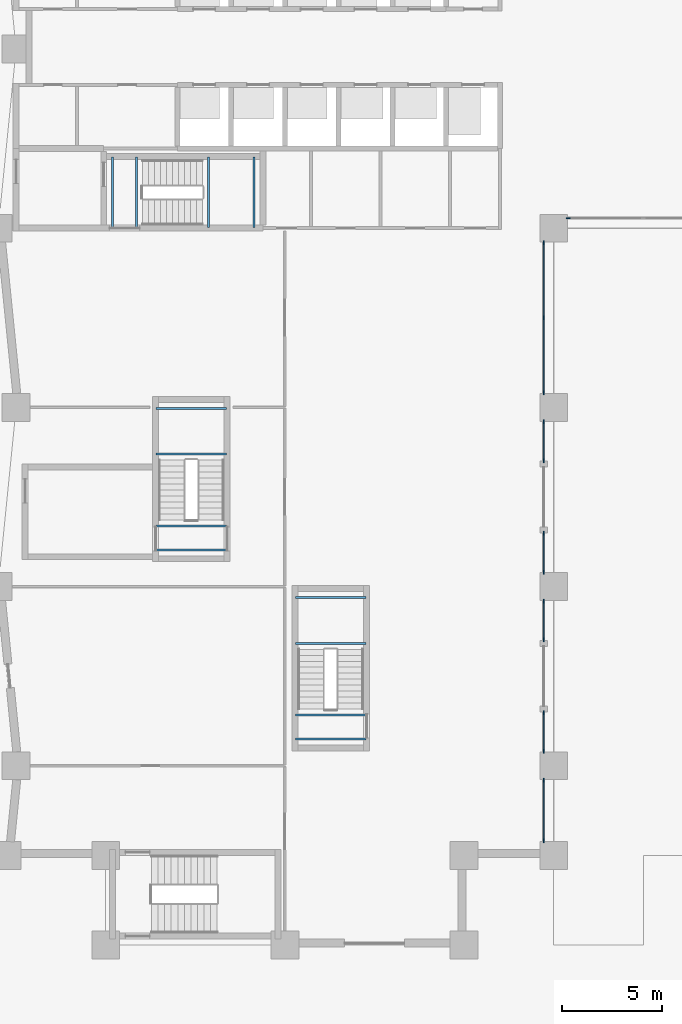
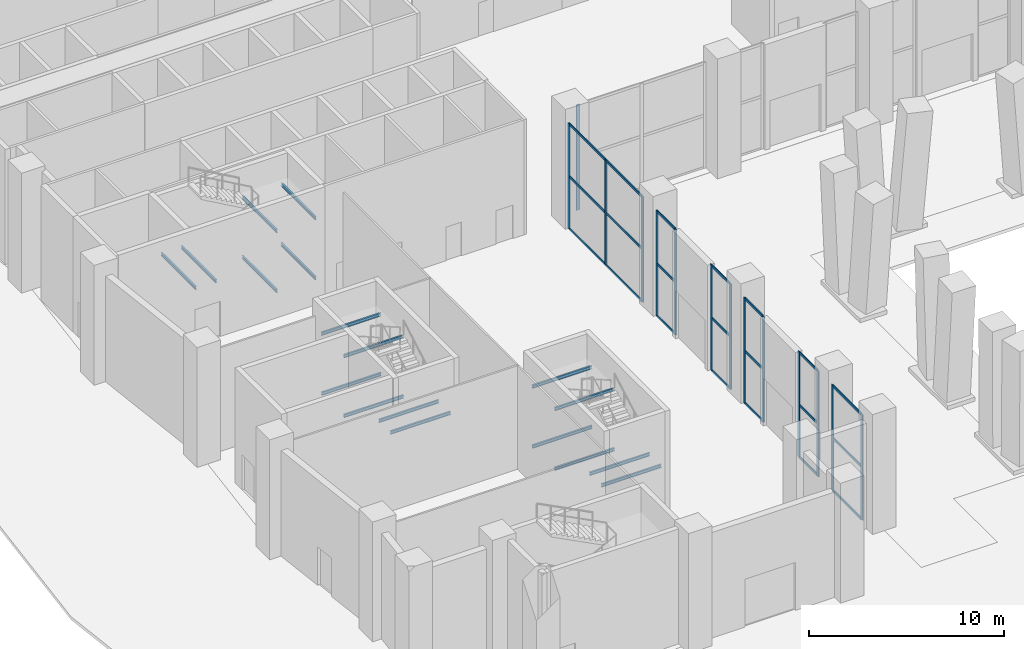
# One storey, part 2 of 16: 35 members, 18 beams, 7 elements without a shape of their own.
"""IFC4 building model written with IfcOpenShell, lengths in metres."""

from ifc_helpers import new_model, si_unit, direction, frame, origin, origin_2d, place, context, subcontext, project, spatial, rectangle, i_section, extrude, material, material_profile, profile_set, type_object, element, aggregate, save


model = new_model("IFC4")

# Units and contexts
model_context = context("Model", 3, precision=1e-05, world=origin(), true_north=direction((0.0, 1.0)))
body_context = subcontext(model_context, "Body", "Model", "MODEL_VIEW")
ifc_project = project(units=[si_unit("LENGTHUNIT", "METRE"), si_unit("AREAUNIT", "SQUARE_METRE"), si_unit("VOLUMEUNIT", "CUBIC_METRE"), si_unit("PLANEANGLEUNIT", "RADIAN"), si_unit("MASSUNIT", "GRAM", prefix="KILO")], contexts=[model_context])

# Site, building, storey
site_placement = place(None, origin())
site = spatial("IfcSite", under=ifc_project, at=site_placement, CompositionType="ELEMENT")
building_placement = place(site_placement, origin())
building = spatial("IfcBuilding", under=site, at=building_placement, Name="Brondeck Convention Tower", CompositionType="ELEMENT")
storey_placement = place(building_placement, origin())
storey = spatial("IfcBuildingStorey", under=building, at=storey_placement, Name="L00", CompositionType="ELEMENT", Elevation=0.0)

# Curtain wall, members
ifc_material_1 = material(Name="Aluminium, bronze anodised", Category="aluminium")
curtain_wall_type = type_object("IfcCurtainWallType", Name="Lobby and concourse curtain wall", PredefinedType="NOTDEFINED", material=ifc_material_1)
curtain_wall_1_placement = place(storey_placement, origin())
curtain_wall_1 = element("IfcCurtainWall", 1, at=curtain_wall_1_placement, inside=storey, type_object=curtain_wall_type, Name="ENV-CW1-L00-B-E-06", PredefinedType="NOTDEFINED")
ifc_material_profile_1 = material_profile(ifc_material_1, rectangle(XDim=0.06005859375, YDim=0.199951171875, at=origin_2d()), Name="CW1 mullion")
ifc_profile_set_1 = profile_set([ifc_material_profile_1], Name="Aluminium, bronze anodised")
member_type_1 = type_object("IfcMemberType", Name="CW1 mullion", PredefinedType="MULLION", material=ifc_profile_set_1)
member_1_placement = place(storey_placement, frame((26.5, 8.27001953125, 0.0), z_axis=(0.0, 0.0, 1.0), x_axis=(1.0, 0.0, 0.0)))
member_1 = element("IfcMember", 2, at=member_1_placement, type_object=member_type_1, Name="CW1 mullion 1", PredefinedType="MULLION", context=body_context, shape_type="SweptSolid", body=[
    extrude(rectangle(XDim=0.06005859375, YDim=0.199951171875, at=origin_2d()), origin(), (0.0, 0.0, 1.0), 6.60009765625),
])
member_2_placement = place(storey_placement, frame((26.5, 5.22998046875, 0.0), z_axis=(0.0, 0.0, 1.0), x_axis=(1.0, 0.0, 0.0)))
member_2 = element("IfcMember", 3, at=member_2_placement, type_object=member_type_1, Name="CW1 mullion 2", PredefinedType="MULLION", context=body_context, shape_type="SweptSolid", body=[
    extrude(rectangle(XDim=0.06005859375, YDim=0.199951171875, at=origin_2d()), origin(), (0.0, 0.0, 1.0), 6.60009765625),
])

curtain_wall_2_placement = place(storey_placement, origin())
curtain_wall_2 = element("IfcCurtainWall", 4, at=curtain_wall_2_placement, inside=storey, type_object=curtain_wall_type, Name="ENV-CW1-L00-B-E-05a", PredefinedType="NOTDEFINED")
member_3_placement = place(storey_placement, frame((26.5, 11.669921875, 0.0), z_axis=(0.0, 0.0, 1.0), x_axis=(1.0, 0.0, 0.0)))
member_3 = element("IfcMember", 5, at=member_3_placement, type_object=member_type_1, Name="CW1 mullion 1", PredefinedType="MULLION", context=body_context, shape_type="SweptSolid", body=[
    extrude(rectangle(XDim=0.06005859375, YDim=0.199951171875, at=origin_2d()), origin(), (0.0, 0.0, 1.0), 6.60009765625),
])
member_4_placement = place(storey_placement, frame((26.5, 9.72998046875, 0.0), z_axis=(0.0, 0.0, 1.0), x_axis=(1.0, 0.0, 0.0)))
member_4 = element("IfcMember", 6, at=member_4_placement, type_object=member_type_1, Name="CW1 mullion 2", PredefinedType="MULLION", context=body_context, shape_type="SweptSolid", body=[
    extrude(rectangle(XDim=0.06005859375, YDim=0.199951171875, at=origin_2d()), origin(), (0.0, 0.0, 1.0), 6.60009765625),
])

curtain_wall_3_placement = place(storey_placement, origin())
curtain_wall_3 = element("IfcCurtainWall", 7, at=curtain_wall_3_placement, inside=storey, type_object=curtain_wall_type, Name="ENV-CW1-L00-B-E-05b", PredefinedType="NOTDEFINED")
member_5_placement = place(storey_placement, frame((26.5, 17.27001953125, 0.0), z_axis=(0.0, 0.0, 1.0), x_axis=(1.0, 0.0, 0.0)))
member_5 = element("IfcMember", 8, at=member_5_placement, type_object=member_type_1, Name="CW1 mullion 1", PredefinedType="MULLION", context=body_context, shape_type="SweptSolid", body=[
    extrude(rectangle(XDim=0.06005859375, YDim=0.199951171875, at=origin_2d()), origin(), (0.0, 0.0, 1.0), 6.60009765625),
])
member_6_placement = place(storey_placement, frame((26.5, 15.330078125, 0.0), z_axis=(0.0, 0.0, 1.0), x_axis=(1.0, 0.0, 0.0)))
member_6 = element("IfcMember", 9, at=member_6_placement, type_object=member_type_1, Name="CW1 mullion 2", PredefinedType="MULLION", context=body_context, shape_type="SweptSolid", body=[
    extrude(rectangle(XDim=0.06005859375, YDim=0.199951171875, at=origin_2d()), origin(), (0.0, 0.0, 1.0), 6.60009765625),
])

curtain_wall_4_placement = place(storey_placement, origin())
curtain_wall_4 = element("IfcCurtainWall", 10, at=curtain_wall_4_placement, inside=storey, type_object=curtain_wall_type, Name="ENV-CW1-L00-B-E-03a", PredefinedType="NOTDEFINED")
member_7_placement = place(storey_placement, frame((26.5, 20.669921875, 0.0), z_axis=(0.0, 0.0, 1.0), x_axis=(1.0, 0.0, 0.0)))
member_7 = element("IfcMember", 11, at=member_7_placement, type_object=member_type_1, Name="CW1 mullion 1", PredefinedType="MULLION", context=body_context, shape_type="SweptSolid", body=[
    extrude(rectangle(XDim=0.06005859375, YDim=0.199951171875, at=origin_2d()), origin(), (0.0, 0.0, 1.0), 6.60009765625),
])
member_8_placement = place(storey_placement, frame((26.5, 18.72998046875, 0.0), z_axis=(0.0, 0.0, 1.0), x_axis=(1.0, 0.0, 0.0)))
member_8 = element("IfcMember", 12, at=member_8_placement, type_object=member_type_1, Name="CW1 mullion 2", PredefinedType="MULLION", context=body_context, shape_type="SweptSolid", body=[
    extrude(rectangle(XDim=0.06005859375, YDim=0.199951171875, at=origin_2d()), origin(), (0.0, 0.0, 1.0), 6.60009765625),
])

curtain_wall_5_placement = place(storey_placement, origin())
curtain_wall_5 = element("IfcCurtainWall", 13, at=curtain_wall_5_placement, inside=storey, type_object=curtain_wall_type, Name="ENV-CW1-L00-B-E-03b", PredefinedType="NOTDEFINED")
member_9_placement = place(storey_placement, frame((26.5, 26.27001953125, 0.0), z_axis=(0.0, 0.0, 1.0), x_axis=(1.0, 0.0, 0.0)))
member_9 = element("IfcMember", 14, at=member_9_placement, type_object=member_type_1, Name="CW1 mullion 1", PredefinedType="MULLION", context=body_context, shape_type="SweptSolid", body=[
    extrude(rectangle(XDim=0.06005859375, YDim=0.199951171875, at=origin_2d()), origin(), (0.0, 0.0, 1.0), 6.60009765625),
])
member_10_placement = place(storey_placement, frame((26.5, 24.330078125, 0.0), z_axis=(0.0, 0.0, 1.0), x_axis=(1.0, 0.0, 0.0)))
member_10 = element("IfcMember", 15, at=member_10_placement, type_object=member_type_1, Name="CW1 mullion 2", PredefinedType="MULLION", context=body_context, shape_type="SweptSolid", body=[
    extrude(rectangle(XDim=0.06005859375, YDim=0.199951171875, at=origin_2d()), origin(), (0.0, 0.0, 1.0), 6.60009765625),
])

curtain_wall_6_placement = place(storey_placement, origin())
curtain_wall_6 = element("IfcCurtainWall", 16, at=curtain_wall_6_placement, inside=storey, type_object=curtain_wall_type, Name="ENV-CW1-L00-B-E-01", PredefinedType="NOTDEFINED")
member_11_placement = place(storey_placement, frame((26.5, 35.27001953125, 0.0), z_axis=(0.0, 0.0, 1.0), x_axis=(1.0, 0.0, 0.0)))
member_11 = element("IfcMember", 17, at=member_11_placement, type_object=member_type_1, Name="CW1 mullion 1", PredefinedType="MULLION", context=body_context, shape_type="SweptSolid", body=[
    extrude(rectangle(XDim=0.06005859375, YDim=0.199951171875, at=origin_2d()), origin(), (0.0, 0.0, 1.0), 6.60009765625),
])
member_12_placement = place(storey_placement, frame((26.5, 31.5, 0.0), z_axis=(0.0, 0.0, 1.0), x_axis=(1.0, 0.0, 0.0)))
member_12 = element("IfcMember", 18, at=member_12_placement, type_object=member_type_1, Name="CW1 mullion 2", PredefinedType="MULLION", context=body_context, shape_type="SweptSolid", body=[
    extrude(rectangle(XDim=0.06005859375, YDim=0.199951171875, at=origin_2d()), origin(), (0.0, 0.0, 1.0), 6.60009765625),
])
member_13_placement = place(storey_placement, frame((26.5, 27.72998046875, 0.0), z_axis=(0.0, 0.0, 1.0), x_axis=(1.0, 0.0, 0.0)))
member_13 = element("IfcMember", 19, at=member_13_placement, type_object=member_type_1, Name="CW1 mullion 3", PredefinedType="MULLION", context=body_context, shape_type="SweptSolid", body=[
    extrude(rectangle(XDim=0.06005859375, YDim=0.199951171875, at=origin_2d()), origin(), (0.0, 0.0, 1.0), 6.60009765625),
])

# Curtain wall, member
curtain_wall_7_placement = place(storey_placement, origin())
curtain_wall_7 = element("IfcCurtainWall", 20, at=curtain_wall_7_placement, inside=storey, type_object=curtain_wall_type, Name="ENV-CW1-L00-A-S-01", PredefinedType="NOTDEFINED")
member_14_placement = place(storey_placement, frame((27.72998046875, 36.5, 0.0), z_axis=(0.0, 0.0, 1.0), x_axis=(0.0, -1.0, 0.0)))
member_14 = element("IfcMember", 21, at=member_14_placement, type_object=member_type_1, Name="CW1 mullion 3", PredefinedType="MULLION", context=body_context, shape_type="SweptSolid", body=[
    extrude(rectangle(XDim=0.06005859375, YDim=0.199951171875, at=origin_2d()), origin(), (0.0, 0.0, 1.0), 6.60009765625),
])
aggregate(curtain_wall_7, [member_14])

# Member
ifc_material_profile_2 = material_profile(ifc_material_1, rectangle(XDim=0.06005859375, YDim=0.159912109375, at=origin_2d()), Name="CW1 transom")
ifc_profile_set_2 = profile_set([ifc_material_profile_2], Name="Aluminium, bronze anodised")
member_type_2 = type_object("IfcMemberType", Name="CW1 transom", PredefinedType="USERDEFINED", material=ifc_profile_set_2)
member_15_placement = place(storey_placement, frame((26.5, 8.239990234375, 0.030029296875), z_axis=(0.0, -1.0, 0.0), x_axis=(1.0, 0.0, 0.0)))
member_15 = element("IfcMember", 22, at=member_15_placement, type_object=member_type_2, Name="CW1 transom 1.1", ObjectType="TRANSOM", PredefinedType="USERDEFINED", context=body_context, shape_type="SweptSolid", body=[
    extrude(rectangle(XDim=0.06005859375, YDim=0.159912109375, at=origin_2d()), origin(), (0.0, 0.0, 1.0), 2.97998046875),
])

member_16_placement = place(storey_placement, frame((26.5, 8.239990234375, 3.300048828125), z_axis=(0.0, -1.0, 0.0), x_axis=(1.0, 0.0, 0.0)))
member_16 = element("IfcMember", 23, at=member_16_placement, type_object=member_type_2, Name="CW1 transom 1.2", ObjectType="TRANSOM", PredefinedType="USERDEFINED", context=body_context, shape_type="SweptSolid", body=[
    extrude(rectangle(XDim=0.06005859375, YDim=0.159912109375, at=origin_2d()), origin(), (0.0, 0.0, 1.0), 2.97998046875),
])

member_17_placement = place(storey_placement, frame((26.5, 8.239990234375, 6.570068359375), z_axis=(0.0, -1.0, 0.0), x_axis=(1.0, 0.0, 0.0)))
member_17 = element("IfcMember", 24, at=member_17_placement, type_object=member_type_2, Name="CW1 transom 1.3", ObjectType="TRANSOM", PredefinedType="USERDEFINED", context=body_context, shape_type="SweptSolid", body=[
    extrude(rectangle(XDim=0.06005859375, YDim=0.159912109375, at=origin_2d()), origin(), (0.0, 0.0, 1.0), 2.97998046875),
])

aggregate(curtain_wall_1, [member_1, member_2, member_15, member_16, member_17])

member_18_placement = place(storey_placement, frame((26.5, 11.639892578125, 0.030029296875), z_axis=(0.0, -1.0, 0.0), x_axis=(1.0, 0.0, 0.0)))
member_18 = element("IfcMember", 25, at=member_18_placement, type_object=member_type_2, Name="CW1 transom 1.1", ObjectType="TRANSOM", PredefinedType="USERDEFINED", context=body_context, shape_type="SweptSolid", body=[
    extrude(rectangle(XDim=0.06005859375, YDim=0.159912109375, at=origin_2d()), origin(), (0.0, 0.0, 1.0), 1.8798828125),
])

member_19_placement = place(storey_placement, frame((26.5, 11.639892578125, 3.300048828125), z_axis=(0.0, -1.0, 0.0), x_axis=(1.0, 0.0, 0.0)))
member_19 = element("IfcMember", 26, at=member_19_placement, type_object=member_type_2, Name="CW1 transom 1.2", ObjectType="TRANSOM", PredefinedType="USERDEFINED", context=body_context, shape_type="SweptSolid", body=[
    extrude(rectangle(XDim=0.06005859375, YDim=0.159912109375, at=origin_2d()), origin(), (0.0, 0.0, 1.0), 1.8798828125),
])

member_20_placement = place(storey_placement, frame((26.5, 11.639892578125, 6.570068359375), z_axis=(0.0, -1.0, 0.0), x_axis=(1.0, 0.0, 0.0)))
member_20 = element("IfcMember", 27, at=member_20_placement, type_object=member_type_2, Name="CW1 transom 1.3", ObjectType="TRANSOM", PredefinedType="USERDEFINED", context=body_context, shape_type="SweptSolid", body=[
    extrude(rectangle(XDim=0.06005859375, YDim=0.159912109375, at=origin_2d()), origin(), (0.0, 0.0, 1.0), 1.8798828125),
])

aggregate(curtain_wall_2, [member_3, member_4, member_18, member_19, member_20])

member_21_placement = place(storey_placement, frame((26.5, 17.239990234375, 0.030029296875), z_axis=(0.0, -1.0, 0.0), x_axis=(1.0, 0.0, 0.0)))
member_21 = element("IfcMember", 28, at=member_21_placement, type_object=member_type_2, Name="CW1 transom 1.1", ObjectType="TRANSOM", PredefinedType="USERDEFINED", context=body_context, shape_type="SweptSolid", body=[
    extrude(rectangle(XDim=0.06005859375, YDim=0.159912109375, at=origin_2d()), origin(), (0.0, 0.0, 1.0), 1.8798828125),
])

member_22_placement = place(storey_placement, frame((26.5, 17.239990234375, 3.300048828125), z_axis=(0.0, -1.0, 0.0), x_axis=(1.0, 0.0, 0.0)))
member_22 = element("IfcMember", 29, at=member_22_placement, type_object=member_type_2, Name="CW1 transom 1.2", ObjectType="TRANSOM", PredefinedType="USERDEFINED", context=body_context, shape_type="SweptSolid", body=[
    extrude(rectangle(XDim=0.06005859375, YDim=0.159912109375, at=origin_2d()), origin(), (0.0, 0.0, 1.0), 1.8798828125),
])

member_23_placement = place(storey_placement, frame((26.5, 17.239990234375, 6.570068359375), z_axis=(0.0, -1.0, 0.0), x_axis=(1.0, 0.0, 0.0)))
member_23 = element("IfcMember", 30, at=member_23_placement, type_object=member_type_2, Name="CW1 transom 1.3", ObjectType="TRANSOM", PredefinedType="USERDEFINED", context=body_context, shape_type="SweptSolid", body=[
    extrude(rectangle(XDim=0.06005859375, YDim=0.159912109375, at=origin_2d()), origin(), (0.0, 0.0, 1.0), 1.8798828125),
])

aggregate(curtain_wall_3, [member_5, member_6, member_21, member_22, member_23])

member_24_placement = place(storey_placement, frame((26.5, 20.639892578125, 0.030029296875), z_axis=(0.0, -1.0, 0.0), x_axis=(1.0, 0.0, 0.0)))
member_24 = element("IfcMember", 31, at=member_24_placement, type_object=member_type_2, Name="CW1 transom 1.1", ObjectType="TRANSOM", PredefinedType="USERDEFINED", context=body_context, shape_type="SweptSolid", body=[
    extrude(rectangle(XDim=0.06005859375, YDim=0.159912109375, at=origin_2d()), origin(), (0.0, 0.0, 1.0), 1.8798828125),
])

member_25_placement = place(storey_placement, frame((26.5, 20.639892578125, 3.300048828125), z_axis=(0.0, -1.0, 0.0), x_axis=(1.0, 0.0, 0.0)))
member_25 = element("IfcMember", 32, at=member_25_placement, type_object=member_type_2, Name="CW1 transom 1.2", ObjectType="TRANSOM", PredefinedType="USERDEFINED", context=body_context, shape_type="SweptSolid", body=[
    extrude(rectangle(XDim=0.06005859375, YDim=0.159912109375, at=origin_2d()), origin(), (0.0, 0.0, 1.0), 1.8798828125),
])

member_26_placement = place(storey_placement, frame((26.5, 20.639892578125, 6.570068359375), z_axis=(0.0, -1.0, 0.0), x_axis=(1.0, 0.0, 0.0)))
member_26 = element("IfcMember", 33, at=member_26_placement, type_object=member_type_2, Name="CW1 transom 1.3", ObjectType="TRANSOM", PredefinedType="USERDEFINED", context=body_context, shape_type="SweptSolid", body=[
    extrude(rectangle(XDim=0.06005859375, YDim=0.159912109375, at=origin_2d()), origin(), (0.0, 0.0, 1.0), 1.8798828125),
])

aggregate(curtain_wall_4, [member_7, member_8, member_24, member_25, member_26])

member_27_placement = place(storey_placement, frame((26.5, 26.239990234375, 0.030029296875), z_axis=(0.0, -1.0, 0.0), x_axis=(1.0, 0.0, 0.0)))
member_27 = element("IfcMember", 34, at=member_27_placement, type_object=member_type_2, Name="CW1 transom 1.1", ObjectType="TRANSOM", PredefinedType="USERDEFINED", context=body_context, shape_type="SweptSolid", body=[
    extrude(rectangle(XDim=0.06005859375, YDim=0.159912109375, at=origin_2d()), origin(), (0.0, 0.0, 1.0), 1.8798828125),
])

member_28_placement = place(storey_placement, frame((26.5, 26.239990234375, 3.300048828125), z_axis=(0.0, -1.0, 0.0), x_axis=(1.0, 0.0, 0.0)))
member_28 = element("IfcMember", 35, at=member_28_placement, type_object=member_type_2, Name="CW1 transom 1.2", ObjectType="TRANSOM", PredefinedType="USERDEFINED", context=body_context, shape_type="SweptSolid", body=[
    extrude(rectangle(XDim=0.06005859375, YDim=0.159912109375, at=origin_2d()), origin(), (0.0, 0.0, 1.0), 1.8798828125),
])

member_29_placement = place(storey_placement, frame((26.5, 26.239990234375, 6.570068359375), z_axis=(0.0, -1.0, 0.0), x_axis=(1.0, 0.0, 0.0)))
member_29 = element("IfcMember", 36, at=member_29_placement, type_object=member_type_2, Name="CW1 transom 1.3", ObjectType="TRANSOM", PredefinedType="USERDEFINED", context=body_context, shape_type="SweptSolid", body=[
    extrude(rectangle(XDim=0.06005859375, YDim=0.159912109375, at=origin_2d()), origin(), (0.0, 0.0, 1.0), 1.8798828125),
])

aggregate(curtain_wall_5, [member_9, member_10, member_27, member_28, member_29])

member_30_placement = place(storey_placement, frame((26.5, 35.239990234375, 0.030029296875), z_axis=(0.0, -1.0, 0.0), x_axis=(1.0, 0.0, 0.0)))
member_30 = element("IfcMember", 37, at=member_30_placement, type_object=member_type_2, Name="CW1 transom 1.1", ObjectType="TRANSOM", PredefinedType="USERDEFINED", context=body_context, shape_type="SweptSolid", body=[
    extrude(rectangle(XDim=0.06005859375, YDim=0.159912109375, at=origin_2d()), origin(), (0.0, 0.0, 1.0), 3.7099609375),
])

member_31_placement = place(storey_placement, frame((26.5, 35.239990234375, 3.300048828125), z_axis=(0.0, -1.0, 0.0), x_axis=(1.0, 0.0, 0.0)))
member_31 = element("IfcMember", 38, at=member_31_placement, type_object=member_type_2, Name="CW1 transom 1.2", ObjectType="TRANSOM", PredefinedType="USERDEFINED", context=body_context, shape_type="SweptSolid", body=[
    extrude(rectangle(XDim=0.06005859375, YDim=0.159912109375, at=origin_2d()), origin(), (0.0, 0.0, 1.0), 3.7099609375),
])

member_32_placement = place(storey_placement, frame((26.5, 35.239990234375, 6.570068359375), z_axis=(0.0, -1.0, 0.0), x_axis=(1.0, 0.0, 0.0)))
member_32 = element("IfcMember", 39, at=member_32_placement, type_object=member_type_2, Name="CW1 transom 1.3", ObjectType="TRANSOM", PredefinedType="USERDEFINED", context=body_context, shape_type="SweptSolid", body=[
    extrude(rectangle(XDim=0.06005859375, YDim=0.159912109375, at=origin_2d()), origin(), (0.0, 0.0, 1.0), 3.7099609375),
])

member_33_placement = place(storey_placement, frame((26.5, 31.469970703125, 0.030029296875), z_axis=(0.0, -1.0, 0.0), x_axis=(1.0, 0.0, 0.0)))
member_33 = element("IfcMember", 40, at=member_33_placement, type_object=member_type_2, Name="CW1 transom 2.1", ObjectType="TRANSOM", PredefinedType="USERDEFINED", context=body_context, shape_type="SweptSolid", body=[
    extrude(rectangle(XDim=0.06005859375, YDim=0.159912109375, at=origin_2d()), origin(), (0.0, 0.0, 1.0), 3.7099609375),
])

member_34_placement = place(storey_placement, frame((26.5, 31.469970703125, 3.300048828125), z_axis=(0.0, -1.0, 0.0), x_axis=(1.0, 0.0, 0.0)))
member_34 = element("IfcMember", 41, at=member_34_placement, type_object=member_type_2, Name="CW1 transom 2.2", ObjectType="TRANSOM", PredefinedType="USERDEFINED", context=body_context, shape_type="SweptSolid", body=[
    extrude(rectangle(XDim=0.06005859375, YDim=0.159912109375, at=origin_2d()), origin(), (0.0, 0.0, 1.0), 3.7099609375),
])

member_35_placement = place(storey_placement, frame((26.5, 31.469970703125, 6.570068359375), z_axis=(0.0, -1.0, 0.0), x_axis=(1.0, 0.0, 0.0)))
member_35 = element("IfcMember", 42, at=member_35_placement, type_object=member_type_2, Name="CW1 transom 2.3", ObjectType="TRANSOM", PredefinedType="USERDEFINED", context=body_context, shape_type="SweptSolid", body=[
    extrude(rectangle(XDim=0.06005859375, YDim=0.159912109375, at=origin_2d()), origin(), (0.0, 0.0, 1.0), 3.7099609375),
])

aggregate(curtain_wall_6, [member_11, member_12, member_13, member_30, member_31, member_32, member_33, member_34, member_35])

# Beams
ifc_material_2 = material(Name="Steel S355", Category="steel")
ifc_material_profile_3 = material_profile(ifc_material_2, i_section(OverallWidth=0.10009765625, OverallDepth=0.199951171875, WebThickness=0.005615234375, FlangeThickness=0.008544921875, FilletRadius=0.011962890625, at=origin_2d()), Name="IPE200")
ifc_profile_set_3 = profile_set([ifc_material_profile_3], Name="Steel S355")
beam_type = type_object("IfcBeamType", Name="Landing ledger beam IPE 200", PredefinedType="BEAM", material=ifc_profile_set_3)
for number, where, z_axis, x_axis, name in (
    (43, (9.64990234375, 36.030029296875, 1.52490234375), (0.0, 1.0, 0.0), (-1.0, 0.0, 0.0), "L00 ST-1 landing beam"),
    (44, (11.949951171875, 36.030029296875, 1.52490234375), (0.0, 1.0, 0.0), (-1.0, 0.0, 0.0), "L00 ST-1 landing beam"),
    (45, (4.85009765625, 36.030029296875, 3.39990234375), (0.0, 1.0, 0.0), (-1.0, 0.0, 0.0), "L00 ST-1 landing beam"),
    (46, (6.050048828125, 36.030029296875, 3.39990234375), (0.0, 1.0, 0.0), (-1.0, 0.0, 0.0), "L00 ST-1 landing beam"),
    (47, (9.64990234375, 36.030029296875, 5.27490234375), (0.0, 1.0, 0.0), (-1.0, 0.0, 0.0), "L00 ST-1 landing beam"),
    (48, (11.949951171875, 36.030029296875, 5.27490234375), (0.0, 1.0, 0.0), (-1.0, 0.0, 0.0), "L00 ST-1 landing beam"),
    (49, (10.570068359375, 24.64990234375, 1.52490234375), (-1.0, 0.0, 0.0), (0.0, -1.0, 0.0), "L00 ST-BE landing beam"),
    (50, (10.570068359375, 26.949951171875, 1.52490234375), (-1.0, 0.0, 0.0), (0.0, -1.0, 0.0), "L00 ST-BE landing beam"),
    (51, (10.570068359375, 19.85009765625, 3.39990234375), (-1.0, 0.0, 0.0), (0.0, -1.0, 0.0), "L00 ST-BE landing beam"),
    (52, (10.570068359375, 21.050048828125, 3.39990234375), (-1.0, 0.0, 0.0), (0.0, -1.0, 0.0), "L00 ST-BE landing beam"),
    (53, (10.570068359375, 24.64990234375, 5.27490234375), (-1.0, 0.0, 0.0), (0.0, -1.0, 0.0), "L00 ST-BE landing beam"),
    (54, (10.570068359375, 26.949951171875, 5.27490234375), (-1.0, 0.0, 0.0), (0.0, -1.0, 0.0), "L00 ST-BE landing beam"),
    (55, (17.570068359375, 15.14990234375, 1.52490234375), (-1.0, 0.0, 0.0), (0.0, -1.0, 0.0), "L00 ST-BF landing beam"),
    (56, (17.570068359375, 17.449951171875, 1.52490234375), (-1.0, 0.0, 0.0), (0.0, -1.0, 0.0), "L00 ST-BF landing beam"),
    (57, (17.570068359375, 10.35009765625, 3.39990234375), (-1.0, 0.0, 0.0), (0.0, -1.0, 0.0), "L00 ST-BF landing beam"),
    (58, (17.570068359375, 11.550048828125, 3.39990234375), (-1.0, 0.0, 0.0), (0.0, -1.0, 0.0), "L00 ST-BF landing beam"),
    (59, (17.570068359375, 15.14990234375, 5.27490234375), (-1.0, 0.0, 0.0), (0.0, -1.0, 0.0), "L00 ST-BF landing beam"),
    (60, (17.570068359375, 17.449951171875, 5.27490234375), (-1.0, 0.0, 0.0), (0.0, -1.0, 0.0), "L00 ST-BF landing beam"),
):
    element("IfcBeam", number, at=place(storey_placement, frame(where, z_axis=z_axis, x_axis=x_axis)), inside=storey, type_object=beam_type, Name=name, PredefinedType="BEAM", context=body_context, shape_type="SweptSolid", body=[
        extrude(i_section(OverallWidth=0.10009765625, OverallDepth=0.199951171875, WebThickness=0.005615234375, FlangeThickness=0.008544921875, FilletRadius=0.011962890625, at=origin_2d()), origin(), (0.0, 0.0, 1.0), 3.5400390625),
    ])

save(model, "model.ifc")
